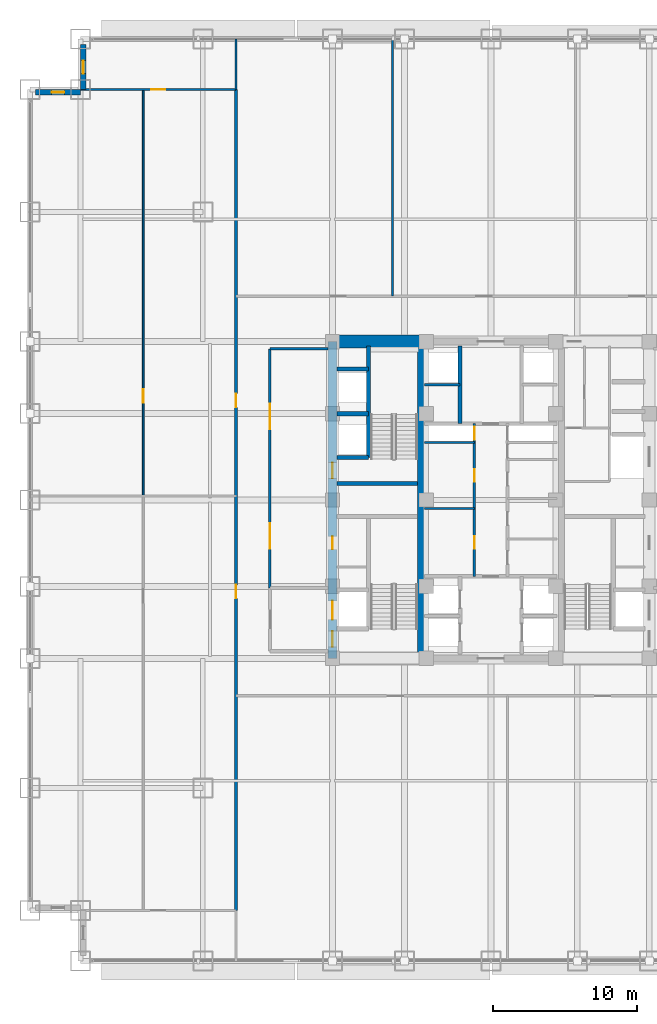
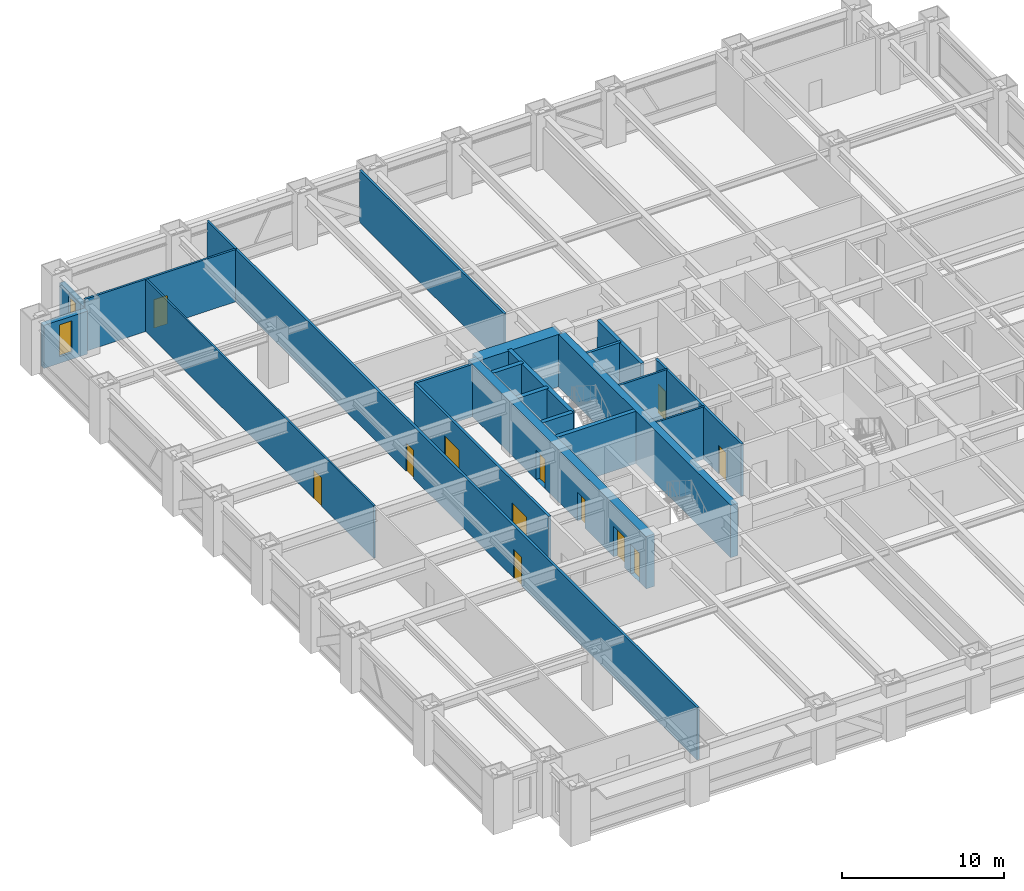
# One storey, part 25 of 32: 22 walls, 13 doors, 2 windows, 15 openings.
"""IFC4 building model written with IfcOpenShell, lengths in metres."""

import ifcopenshell
import ifcopenshell.guid

model = None  # the IFC model being written
_history = None  # IfcOwnerHistory: only IFC2X3 demands one
_inside = {}  # id of a spatial element -> (the spatial element, [elements in it])
_under = {}  # id of a project, library or spatial element -> (it, [spatial elements below it])
_declared = {}  # id of a project -> (the project, [libraries it declares])
_typed = {}  # id of a type object -> (the type object, [elements of that type])
_made_of = {}  # id of a material, layer set ... -> (it, [elements and type objects made of it])


def new_model(schema):
    """Start an empty IFC model of exactly this schema.

    Asked for "IFC4X3", IfcOpenShell would pick the latest addendum, in which some entities
    have other attributes; the version numbers below select the first issue.
    IFC2X3 requires an IfcOwnerHistory on every rooted entity: one is made here for all.
    """
    global model, _history
    if schema == "IFC4X3":
        model = ifcopenshell.file(schema_version=(4, 3, 0, 0))
    else:
        model = ifcopenshell.file(schema=schema)
    _inside.clear()
    _under.clear()
    _declared.clear()
    _typed.clear()
    _made_of.clear()
    _history = None
    if model.schema == "IFC2X3":
        org = make("IfcOrganization", Name="unknown")
        user = make(
            "IfcPersonAndOrganization",
            ThePerson=make("IfcPerson", FamilyName="unknown"),
            TheOrganization=org,
        )
        app = make(
            "IfcApplication",
            ApplicationDeveloper=org,
            Version="unknown",
            ApplicationFullName="unknown",
            ApplicationIdentifier="unknown",
        )
        _history = make(
            "IfcOwnerHistory",
            OwningUser=user,
            OwningApplication=app,
            ChangeAction="ADDED",
            CreationDate=0,
        )
    return model


def make(cls, **values):
    """One entity of the class cls with the attributes given. An attribute that is None is left unset."""
    return model.create_entity(
        cls, **{name: value for name, value in values.items() if value is not None}
    )


def rooted(cls, **values):
    """An entity with a GlobalId (a new one), such as an element, a storey or a relation."""
    return make(cls, GlobalId=ifcopenshell.guid.new(), OwnerHistory=_history, **values)


def si_unit(unit_type, name, prefix=None):
    """IfcSIUnit, for example si_unit("LENGTHUNIT", "METRE", prefix="MILLI")."""
    return make("IfcSIUnit", UnitType=unit_type, Prefix=prefix, Name=name)


def assignment(units):
    """IfcUnitAssignment: the units of a project."""
    return None if units is None else make("IfcUnitAssignment", Units=units)


def point(xyz):
    """IfcCartesianPoint."""
    return None if xyz is None else make("IfcCartesianPoint", Coordinates=xyz)


def direction(xyz):
    """IfcDirection."""
    return None if xyz is None else make("IfcDirection", DirectionRatios=xyz)


def frame(location, z_axis=None, x_axis=None):
    """IfcAxis2Placement3D, a coordinate frame: its origin and axes. An axis left out is left unset."""
    return make(
        "IfcAxis2Placement3D",
        Location=point(location),
        Axis=direction(z_axis),
        RefDirection=direction(x_axis),
    )


def frame_2d(location, x_axis=None):
    """IfcAxis2Placement2D, a coordinate frame in the plane: its origin and x axis."""
    return make(
        "IfcAxis2Placement2D", Location=point(location), RefDirection=direction(x_axis)
    )


def origin():
    """The frame at (0, 0, 0) with its axes left unset."""
    return frame((0.0, 0.0, 0.0))


def place(relative_to, where):
    """IfcLocalPlacement: puts the frame where relative to a parent placement (None: the world)."""
    return make(
        "IfcLocalPlacement", PlacementRelTo=relative_to, RelativePlacement=where
    )


def context(
    kind, dimensions, precision=None, world=None, true_north=None, identifier=None
):
    """IfcGeometricRepresentationContext, for example the 3D "Model" context."""
    return make(
        "IfcGeometricRepresentationContext",
        ContextIdentifier=identifier,
        ContextType=kind,
        CoordinateSpaceDimension=dimensions,
        Precision=precision,
        WorldCoordinateSystem=world,
        TrueNorth=true_north,
    )


def subcontext(parent, identifier, kind, view, scale=None):
    """IfcGeometricRepresentationSubContext, for example "Body" below "Model"."""
    return make(
        "IfcGeometricRepresentationSubContext",
        ContextIdentifier=identifier,
        ContextType=kind,
        ParentContext=parent,
        TargetScale=scale,
        TargetView=view,
    )


def project(units=None, contexts=None):
    """IfcProject with its units and contexts."""
    return rooted(
        "IfcProject",
        Name="project",
        RepresentationContexts=contexts,
        UnitsInContext=assignment(units),
    )


def spatial(cls, under=None, at=None, **own):
    """A site, building, storey or space (cls), placed at a placement, below another one or the project."""
    s = rooted(cls, ObjectPlacement=at, **own)
    if under is not None:
        _under.setdefault(under.id(), (under, []))[1].append(s)
    return s


def profile(cls, at=None, kind="AREA", **sizes):
    """A parametric profile (cls). Its sizes go by their IFC names, for example OverallWidth=200.0."""
    return make(cls, ProfileType=kind, Position=at, **sizes)


def rectangle(**sizes):
    """IfcRectangleProfileDef."""
    return profile("IfcRectangleProfileDef", **sizes)


def extrude(swept, where, along, depth):
    """IfcExtrudedAreaSolid: the profile swept, set in the frame where, extruded along a direction by depth."""
    return make(
        "IfcExtrudedAreaSolid",
        SweptArea=swept,
        Position=where,
        ExtrudedDirection=direction(along),
        Depth=depth,
    )


def shape(context_of_items, identifier, shape_type, items):
    """IfcShapeRepresentation: the items that make up one representation, for example the "Body"."""
    return make(
        "IfcShapeRepresentation",
        ContextOfItems=context_of_items,
        RepresentationIdentifier=identifier,
        RepresentationType=shape_type,
        Items=items,
    )


def source(mapping_origin, context_of_items, identifier, shape_type, items):
    """IfcRepresentationMap: a shape defined once, which mapped items show again and again."""
    return make(
        "IfcRepresentationMap",
        MappingOrigin=mapping_origin,
        MappedRepresentation=shape(context_of_items, identifier, shape_type, items),
    )


def transform(
    local_origin,
    x_axis=None,
    y_axis=None,
    z_axis=None,
    scale=None,
    scale2=None,
    scale3=None,
    uniform=True,
):
    """IfcCartesianTransformationOperator3D, or its non-uniform kind. x_axis, y_axis, z_axis: its Axis1, 2, 3."""
    if uniform:
        return make(
            "IfcCartesianTransformationOperator3D",
            Axis1=direction(x_axis),
            Axis2=direction(y_axis),
            LocalOrigin=point(local_origin),
            Scale=scale,
            Axis3=direction(z_axis),
        )
    return make(
        "IfcCartesianTransformationOperator3DnonUniform",
        Axis1=direction(x_axis),
        Axis2=direction(y_axis),
        LocalOrigin=point(local_origin),
        Scale=scale,
        Axis3=direction(z_axis),
        Scale2=scale2,
        Scale3=scale3,
    )


def mapped(mapping_source, mapping_target):
    """IfcMappedItem: shows the shape of a source again, moved by a transform."""
    return make(
        "IfcMappedItem", MappingSource=mapping_source, MappingTarget=mapping_target
    )


def material(Name=None, Category=None):
    """IfcMaterial."""
    return make("IfcMaterial", Name=Name, Category=Category)


def layer(
    of_material, thickness, ventilated=None, Name=None, Category=None, Priority=None
):
    """IfcMaterialLayer: one layer of a wall or slab, of a material (None: an air gap)."""
    return make(
        "IfcMaterialLayer",
        Material=of_material,
        LayerThickness=thickness,
        IsVentilated=ventilated,
        Name=Name,
        Category=Category,
        Priority=Priority,
    )


def layer_set(layers, Name=None):
    """IfcMaterialLayerSet."""
    return make("IfcMaterialLayerSet", MaterialLayers=layers, LayerSetName=Name)


def made_of(thing, what):
    """Note that an element or type object is made of a material, layer set ...; save() writes the relation."""
    if what is not None:
        _made_of.setdefault(what.id(), (what, []))[1].append(thing)
    return thing


def type_object(cls, material=None, **own):
    """A type object (cls), such as IfcWallType, which elements share."""
    return made_of(rooted(cls, **own), material)


def element(
    cls,
    number,
    at=None,
    inside=None,
    cuts=None,
    type_object=None,
    material=None,
    context=None,
    identifier="Body",
    shape_type=None,
    held_by="IfcProductDefinitionShape",
    body=None,
    shapes=None,
    **own,
):
    """One element of the class cls, such as IfcWall. Its Tag is "e" and its number.

    at: its placement. inside: the storey or other place that contains it. cuts: it is an
    opening in that element (IfcRelVoidsElement). A single representation is given by context,
    identifier, shape_type and body (its items); several are given by shapes. held_by: the class
    of the entity that holds the representations. save() writes the other relations.
    """
    e = rooted(cls, Tag="e%d" % number, ObjectPlacement=at, **own)
    if body is not None:
        shapes = [shape(context, identifier, shape_type, body)]
    if shapes is not None:
        e.Representation = make(held_by, Representations=shapes)
    if inside is not None:
        _inside.setdefault(inside.id(), (inside, []))[1].append(e)
    if cuts is not None:
        rooted(
            "IfcRelVoidsElement", RelatingBuildingElement=cuts, RelatedOpeningElement=e
        )
    if type_object is not None:
        _typed.setdefault(type_object.id(), (type_object, []))[1].append(e)
    return made_of(e, material)


def fill(opening, filler):
    """IfcRelFillsElement: the door or window that sits in an opening."""
    return rooted(
        "IfcRelFillsElement",
        RelatingOpeningElement=opening,
        RelatedBuildingElement=filler,
    )


def aggregate(whole, parts):
    """IfcRelAggregates: a whole, such as a stair, and the parts it consists of."""
    return rooted("IfcRelAggregates", RelatingObject=whole, RelatedObjects=parts)


def save(model, path):
    """Write the relations noted so far, then the file.

    IfcRelAggregates (storeys below a building ...), IfcRelContainedInSpatialStructure (elements
    in a storey), IfcRelDefinesByType, IfcRelAssociatesMaterial and IfcRelDeclares: one each for
    every whole, place, type object, material and project.
    """
    for whole, parts in _under.values():
        aggregate(whole, parts)
    for where, things in _inside.values():
        rooted(
            "IfcRelContainedInSpatialStructure",
            RelatedElements=things,
            RelatingStructure=where,
        )
    for kind, things in _typed.values():
        rooted("IfcRelDefinesByType", RelatedObjects=things, RelatingType=kind)
    for what, things in _made_of.values():
        rooted("IfcRelAssociatesMaterial", RelatedObjects=things, RelatingMaterial=what)
    for by, libraries in _declared.values():
        rooted("IfcRelDeclares", RelatingContext=by, RelatedDefinitions=libraries)
    model.write(path)


model = new_model("IFC4")

# Units and contexts
model_context = context("Model", 3, precision=1e-05, world=origin(), true_north=direction((0.0, 1.0)))
body_context = subcontext(model_context, "Body", "Model", "MODEL_VIEW")
ifc_project = project(units=[si_unit("LENGTHUNIT", "METRE"), si_unit("AREAUNIT", "SQUARE_METRE"), si_unit("VOLUMEUNIT", "CUBIC_METRE"), si_unit("PLANEANGLEUNIT", "RADIAN"), si_unit("MASSUNIT", "GRAM", prefix="KILO")], contexts=[model_context])

# Site, building, storey
site_placement = place(None, origin())
site = spatial("IfcSite", under=ifc_project, at=site_placement, CompositionType="ELEMENT")
building_placement = place(site_placement, origin())
building = spatial("IfcBuilding", under=site, at=building_placement, Name="Khorayat Bourse Tower", CompositionType="ELEMENT")
storey_placement = place(building_placement, frame((0.0, 0.0, 70.39990234375)))
storey = spatial("IfcBuildingStorey", under=building, at=storey_placement, Name="L15", CompositionType="ELEMENT", Elevation=70.39990234375)

# Wall, openings, doors
ifc_material_1 = material(Name="Concrete C60/75", Category="concrete")
ifc_layer_1 = layer(ifc_material_1, 0.60009765625)
ifc_layer_set_1 = layer_set([ifc_layer_1], Name="Concrete C60/75")
wall_type_1 = type_object("IfcWallType", Name="WAL-CORE-600", PredefinedType="SHEAR", material=ifc_layer_set_1)
shared_shape_1 = source(origin(), body_context, "Body", "SweptSolid", [
    extrude(rectangle(XDim=22.0, YDim=0.60009765625, at=frame_2d((11.0, 0.0))), origin(), (0.0, 0.0, 1.0), 3.940185546875),
])
wall_1_placement = place(storey_placement, frame((-11.0, -11.0, 0.0), z_axis=(0.0, 0.0, 1.0), x_axis=(0.0, 1.0, 0.0)))
wall_1 = element("IfcWall", 1, at=wall_1_placement, inside=storey, type_object=wall_type_1, Name="L15 Core Shear Wall CORE-W", PredefinedType="SHEAR", context=body_context, shape_type="MappedRepresentation", body=[
    mapped(shared_shape_1, transform((0.0, 0.0, 0.0), scale=1.0)),
])
shared_shape_2 = source(origin(), body_context, "Body", "SweptSolid", [
    extrude(rectangle(XDim=1.10009765625, YDim=2.199951171875, at=frame_2d((0.550048828125, 1.10009765625))), frame((0.0, 0.31005859375, 0.0), z_axis=(0.0, -1.0, 0.0), x_axis=(1.0, 0.0, 0.0)), (0.0, 0.0, 1.0), 0.6201171875),
])
opening_1_placement = place(wall_1_placement, frame((0.800048828125, 0.0, 0.0)))
opening_1 = element("IfcOpeningElement", 2, at=opening_1_placement, cuts=wall_1, Name="Opening DI-01", PredefinedType="OPENING", context=body_context, shape_type="MappedRepresentation", body=[
    mapped(shared_shape_2, transform((0.0, 0.0, 0.0), scale=1.0)),
])
opening_2_placement = place(wall_1_placement, frame((12.5, 0.0, 0.0)))
opening_2 = element("IfcOpeningElement", 3, at=opening_2_placement, cuts=wall_1, Name="Opening DI-01", PredefinedType="OPENING", context=body_context, shape_type="MappedRepresentation", body=[
    mapped(shared_shape_2, transform((0.0, 0.0, 0.0), scale=1.0)),
])
shared_shape_3 = source(origin(), body_context, "Body", "SweptSolid", [
    extrude(rectangle(XDim=0.89990234375, YDim=2.14990234375, at=frame_2d((0.449951171875, 1.074951171875))), frame((0.0, 0.31005859375, 0.0), z_axis=(0.0, -1.0, 0.0), x_axis=(1.0, 0.0, 0.0)), (0.0, 0.0, 1.0), 0.6201171875),
])
opening_3_placement = place(wall_1_placement, frame((7.574951171875, 0.0, 0.0)))
opening_3 = element("IfcOpeningElement", 4, at=opening_3_placement, cuts=wall_1, Name="Opening DI-06", PredefinedType="OPENING", context=body_context, shape_type="MappedRepresentation", body=[
    mapped(shared_shape_3, transform((0.0, 0.0, 0.0), scale=1.0)),
])
shared_shape_4 = source(origin(), body_context, "Body", "SweptSolid", [
    extrude(rectangle(XDim=1.300048828125, YDim=2.300048828125, at=frame_2d((0.64990234375, 1.14990234375))), frame((0.0, 0.31005859375, 0.0), z_axis=(0.0, -1.0, 0.0), x_axis=(1.0, 0.0, 0.0)), (0.0, 0.0, 1.0), 0.6201171875),
])
opening_4_placement = place(wall_1_placement, frame((2.699951171875, 0.0, 0.0)))
opening_4 = element("IfcOpeningElement", 5, at=opening_4_placement, cuts=wall_1, Name="Opening LD-02", PredefinedType="OPENING", context=body_context, shape_type="MappedRepresentation", body=[
    mapped(shared_shape_4, transform((0.0, 0.0, 0.0), scale=1.0)),
])
ifc_material_2 = material(Name="Fire-rated steel acoustic leaf", Category="steel")
door_type_1 = type_object("IfcDoorType", Name="DR-INT-STAIR-1100", OperationType="NOTDEFINED", PredefinedType="DOOR", material=ifc_material_2)
shared_shape_5 = source(origin(), body_context, "Body", "SweptSolid", [
    extrude(rectangle(XDim=1.10009765625, YDim=2.199951171875, at=frame_2d((0.550048828125, 1.10009765625))), frame((0.0, 0.02490234375, 0.0), z_axis=(0.0, -1.0, 0.0), x_axis=(1.0, 0.0, 0.0)), (0.0, 0.0, 1.0), 0.050048828125),
])
door_1_placement = place(opening_1_placement, origin())
door_1 = element("IfcDoor", 6, at=door_1_placement, inside=storey, type_object=door_type_1, Name="L15 Exit Stair 1 Door", OperationType="SINGLE_SWING_RIGHT", OverallHeight=2.199951171875, OverallWidth=1.10009765625, PredefinedType="DOOR", context=body_context, shape_type="MappedRepresentation", body=[
    mapped(shared_shape_5, transform((0.0, 0.0, 0.0), scale=1.0)),
])
fill(opening_1, door_1)
door_2_placement = place(opening_2_placement, origin())
door_2 = element("IfcDoor", 7, at=door_2_placement, inside=storey, type_object=door_type_1, Name="L15 Exit Stair 2 Door", OperationType="SINGLE_SWING_RIGHT", OverallHeight=2.199951171875, OverallWidth=1.10009765625, PredefinedType="DOOR", context=body_context, shape_type="MappedRepresentation", body=[
    mapped(shared_shape_5, transform((0.0, 0.0, 0.0), scale=1.0)),
])
fill(opening_2, door_2)
ifc_material_3 = material(Name="Moisture-resistant laminate washroom door")
door_type_2 = type_object("IfcDoorType", Name="DR-INT-WC-900", OperationType="NOTDEFINED", PredefinedType="DOOR", material=ifc_material_3)
shared_shape_6 = source(origin(), body_context, "Body", "SweptSolid", [
    extrude(rectangle(XDim=0.89990234375, YDim=2.14990234375, at=frame_2d((0.449951171875, 1.074951171875))), frame((0.0, 0.02490234375, 0.0), z_axis=(0.0, -1.0, 0.0), x_axis=(1.0, 0.0, 0.0)), (0.0, 0.0, 1.0), 0.050048828125),
])
door_3_placement = place(opening_3_placement, origin())
door_3 = element("IfcDoor", 8, at=door_3_placement, inside=storey, type_object=door_type_2, Name="L15 UPS Switch Plant Room Door", OperationType="SINGLE_SWING_RIGHT", OverallHeight=2.14990234375, OverallWidth=0.89990234375, PredefinedType="DOOR", context=body_context, shape_type="MappedRepresentation", body=[
    mapped(shared_shape_6, transform((0.0, 0.0, 0.0), scale=1.0)),
])
fill(opening_3, door_3)
ifc_material_4 = material(Name="Fire-rated stainless-steel sliding landing door", Category="steel")
door_type_3 = type_object("IfcDoorType", Name="DR-LIFT-FF-1300", OperationType="NOTDEFINED", PredefinedType="DOOR", material=ifc_material_4)
shared_shape_7 = source(origin(), body_context, "Body", "SweptSolid", [
    extrude(rectangle(XDim=1.300048828125, YDim=2.300048828125, at=frame_2d((0.64990234375, 1.14990234375))), frame((0.0, 0.02490234375, 0.0), z_axis=(0.0, -1.0, 0.0), x_axis=(1.0, 0.0, 0.0)), (0.0, 0.0, 1.0), 0.050048828125),
])
door_4_placement = place(opening_4_placement, origin())
door_4 = element("IfcDoor", 9, at=door_4_placement, inside=storey, type_object=door_type_3, Name="L15 Lift FFL-01 Sliding Landing Door", OperationType="SLIDING_TO_LEFT", OverallHeight=2.300048828125, OverallWidth=1.300048828125, PredefinedType="DOOR", context=body_context, shape_type="MappedRepresentation", body=[
    mapped(shared_shape_7, transform((0.0, 0.0, 0.0), scale=1.0)),
])
fill(opening_4, door_4)

# Walls
ifc_material_5 = material(Name="Concrete C52/65", Category="concrete")
ifc_layer_2 = layer(ifc_material_5, 0.5)
ifc_layer_set_2 = layer_set([ifc_layer_2], Name="Concrete C52/65")
wall_type_2 = type_object("IfcWallType", Name="WAL-CORE-500", PredefinedType="SHEAR", material=ifc_layer_set_2)
shared_shape_8 = source(origin(), body_context, "Body", "SweptSolid", [
    extrude(rectangle(XDim=21.39990234375, YDim=0.5, at=frame_2d((10.699951171875, 0.0))), origin(), (0.0, 0.0, 1.0), 3.940185546875),
])
wall_2_placement = place(storey_placement, frame((-4.85009765625, -10.699951171875, 0.0), z_axis=(0.0, 0.0, 1.0), x_axis=(0.0, 1.0, 0.0)))
element("IfcWall", 10, at=wall_2_placement, inside=storey, type_object=wall_type_2, Name="L15 Core Shear Wall PIER-W", PredefinedType="SHEAR", context=body_context, shape_type="MappedRepresentation", body=[
    mapped(shared_shape_8, transform((0.0, 0.0, 0.0), scale=1.0)),
])
ifc_material_6 = material(Name="Concrete C72/90", Category="concrete")
ifc_layer_3 = layer(ifc_material_6, 0.89990234375)
ifc_layer_set_3 = layer_set([ifc_layer_3], Name="Concrete C72/90")
wall_type_3 = type_object("IfcWallType", Name="WAL-CORE-900", PredefinedType="SHEAR", material=ifc_layer_set_3)
shared_shape_9 = source(origin(), body_context, "Body", "SweptSolid", [
    extrude(rectangle(XDim=5.849853515625, YDim=0.89990234375, at=frame_2d((2.9248046875, 0.0))), origin(), (0.0, 0.0, 1.0), 3.940185546875),
])
wall_3_placement = place(storey_placement, frame((-10.699951171875, 11.0, 0.0), z_axis=(0.0, 0.0, 1.0), x_axis=(1.0, 0.0, 0.0)))
element("IfcWall", 11, at=wall_3_placement, inside=storey, type_object=wall_type_3, Name="L15 Core Shear Wall PIER-WN", PredefinedType="SHEAR", context=body_context, shape_type="MappedRepresentation", body=[
    mapped(shared_shape_9, transform((0.0, 0.0, 0.0), scale=1.0)),
])
ifc_material_7 = material(Name="Concrete C50/60", Category="concrete")
ifc_layer_4 = layer(ifc_material_7, 0.300048828125)
ifc_layer_set_4 = layer_set([ifc_layer_4], Name="Concrete C50/60")
wall_type_4 = type_object("IfcWallType", Name="WAL-SHAFT-300", PredefinedType="SHEAR", material=ifc_layer_set_4)
shared_shape_10 = source(origin(), body_context, "Body", "SweptSolid", [
    extrude(rectangle(XDim=5.599853515625, YDim=0.300048828125, at=frame_2d((2.7998046875, 0.0))), origin(), (0.0, 0.0, 1.0), 3.940185546875),
])
wall_4_placement = place(storey_placement, frame((-10.699951171875, 1.14990234375, 0.0), z_axis=(0.0, 0.0, 1.0), x_axis=(1.0, 0.0, 0.0)))
element("IfcWall", 12, at=wall_4_placement, inside=storey, type_object=wall_type_4, Name="L15 Core Shear Wall ST2-DIV", PredefinedType="SHEAR", context=body_context, shape_type="MappedRepresentation", body=[
    mapped(shared_shape_10, transform((0.0, 0.0, 0.0), scale=1.0)),
])

# Wall, opening, window
ifc_material_8 = material(Name="Precast concrete C45/55", Category="concrete")
ifc_layer_5 = layer(ifc_material_8, 0.3798828125)
ifc_layer_set_5 = layer_set([ifc_layer_5], Name="Precast concrete C45/55")
wall_type_5 = type_object("IfcWallType", Name="WAL-EXT-STONE-380", PredefinedType="STANDARD", material=ifc_layer_set_5)
shared_shape_11 = source(origin(), body_context, "Body", "SweptSolid", [
    extrude(rectangle(XDim=3.1201171875, YDim=0.3798828125, at=frame_2d((1.56005859375, 0.0))), origin(), (0.0, 0.0, 1.0), 3.2451171875),
])
wall_5_placement = place(storey_placement, frame((-28.31005859375, 28.5, 0.0), z_axis=(0.0, 0.0, 1.0), x_axis=(0.0, 1.0, 0.0)))
wall_5 = element("IfcWall", 13, at=wall_5_placement, inside=storey, type_object=wall_type_5, Name="L15 Re-Entrant Notch Limestone Wall NW-V", PredefinedType="STANDARD", context=body_context, shape_type="MappedRepresentation", body=[
    mapped(shared_shape_11, transform((0.0, 0.0, 0.0), scale=1.0)),
])
shared_shape_12 = source(origin(), body_context, "Body", "SweptSolid", [
    extrude(rectangle(XDim=0.89990234375, YDim=2.39990234375, at=frame_2d((0.449951171875, 1.199951171875))), frame((0.0, 0.199951171875, 0.0), z_axis=(0.0, -1.0, 0.0), x_axis=(1.0, 0.0, 0.0)), (0.0, 0.0, 1.0), 0.39990234375),
])
opening_5_placement = place(wall_5_placement, frame((1.110107421875, 0.0, 0.5)))
opening_5 = element("IfcOpeningElement", 14, at=opening_5_placement, cuts=wall_5, Name="Opening WN-03", PredefinedType="OPENING", context=body_context, shape_type="MappedRepresentation", body=[
    mapped(shared_shape_12, transform((0.0, 0.0, 0.0), scale=1.0)),
])
ifc_material_9 = material(Name="Deep-reveal solar-control double glazing", Category="glass")
window_type = type_object("IfcWindowType", Name="WIN-SLOT-900x2400", PartitioningType="SINGLE_PANEL", PredefinedType="WINDOW", material=ifc_material_9)
shared_shape_13 = source(origin(), body_context, "Body", "SweptSolid", [
    extrude(rectangle(XDim=0.89990234375, YDim=2.39990234375, at=frame_2d((0.449951171875, 1.199951171875))), frame((0.0, 0.030029296875, 0.0), z_axis=(0.0, -1.0, 0.0), x_axis=(1.0, 0.0, 0.0)), (0.0, 0.0, 1.0), 0.06005859375),
])
window_1_placement = place(opening_5_placement, origin())
window_1 = element("IfcWindow", 15, at=window_1_placement, inside=storey, type_object=window_type, Name="L15 Facade Window 1", OverallHeight=2.39990234375, OverallWidth=0.89990234375, PartitioningType="SINGLE_PANEL", PredefinedType="WINDOW", context=body_context, shape_type="MappedRepresentation", body=[
    mapped(shared_shape_13, transform((0.0, 0.0, 0.0), scale=1.0)),
])
fill(opening_5, window_1)

wall_6_placement = place(storey_placement, frame((-28.5, 28.31005859375, 0.0), z_axis=(0.0, 0.0, 1.0), x_axis=(-1.0, 0.0, 0.0)))
wall_6 = element("IfcWall", 16, at=wall_6_placement, inside=storey, type_object=wall_type_5, Name="L15 Re-Entrant Notch Limestone Wall NW-H", PredefinedType="STANDARD", context=body_context, shape_type="MappedRepresentation", body=[
    mapped(shared_shape_11, transform((0.0, 0.0, 0.0), scale=1.0)),
])
opening_6_placement = place(wall_6_placement, frame((1.110107421875, 0.0, 0.5)))
opening_6 = element("IfcOpeningElement", 17, at=opening_6_placement, cuts=wall_6, Name="Opening WN-03", PredefinedType="OPENING", context=body_context, shape_type="MappedRepresentation", body=[
    mapped(shared_shape_12, transform((0.0, 0.0, 0.0), scale=1.0)),
])
window_2_placement = place(opening_6_placement, origin())
window_2 = element("IfcWindow", 18, at=window_2_placement, inside=storey, type_object=window_type, Name="L15 Facade Window 1", OverallHeight=2.39990234375, OverallWidth=0.89990234375, PartitioningType="SINGLE_PANEL", PredefinedType="WINDOW", context=body_context, shape_type="MappedRepresentation", body=[
    mapped(shared_shape_13, transform((0.0, 0.0, 0.0), scale=1.0)),
])
fill(opening_6, window_2)

# Walls
shared_shape_14 = source(origin(), body_context, "Body", "SweptSolid", [
    extrude(rectangle(XDim=2.199951171875, YDim=0.300048828125, at=frame_2d((1.10009765625, 0.0))), origin(), (0.0, 0.0, 1.0), 3.940185546875),
])
for number, where, z_axis, x_axis, name in (
    (19, (-10.699951171875, 2.949951171875, 0.0), (0.0, 0.0, 1.0), (1.0, 0.0, 0.0), "L15 Partition WAL-L15-WPIER-H1S"),
    (20, (-10.699951171875, 6.0, 0.0), (0.0, 0.0, 1.0), (1.0, 0.0, 0.0), "L15 Partition WAL-L15-WPIER-H12"),
    (21, (-10.699951171875, 9.10009765625, 0.0), (0.0, 0.0, 1.0), (1.0, 0.0, 0.0), "L15 Partition WAL-L15-WPIER-H2N"),
):
    element("IfcWall", number, at=place(storey_placement, frame(where, z_axis=z_axis, x_axis=x_axis)), inside=storey, type_object=wall_type_4, Name=name, PredefinedType="SHEAR", context=body_context, shape_type="MappedRepresentation", body=[
        mapped(shared_shape_14, transform((0.0, 0.0, 0.0), scale=1.0)),
    ])
shared_shape_15 = source(origin(), body_context, "Body", "SweptSolid", [
    extrude(rectangle(XDim=7.75, YDim=0.300048828125, at=frame_2d((3.875, 0.0))), origin(), (0.0, 0.0, 1.0), 3.940185546875),
])
wall_7_placement = place(storey_placement, frame((-8.5, 2.949951171875, 0.0), z_axis=(0.0, 0.0, 1.0), x_axis=(0.0, 1.0, 0.0)))
element("IfcWall", 22, at=wall_7_placement, inside=storey, type_object=wall_type_4, Name="L15 Partition WAL-L15-WPIER-ST2S", PredefinedType="SHEAR", context=body_context, shape_type="MappedRepresentation", body=[
    mapped(shared_shape_15, transform((0.0, 0.0, 0.0), scale=1.0)),
])
ifc_material_10 = material(Name="Gypsum plasterboard acoustic stud wall")
ifc_layer_6 = layer(ifc_material_10, 0.179931640625)
ifc_layer_set_6 = layer_set([ifc_layer_6], Name="Gypsum plasterboard acoustic stud wall")
wall_type_6 = type_object("IfcWallType", Name="WAL-PART-CORR-180", PredefinedType="PARTITIONING", material=ifc_layer_set_6)
shared_shape_16 = source(origin(), body_context, "Body", "SweptSolid", [
    extrude(rectangle(XDim=4.050048828125, YDim=0.179931640625, at=frame_2d((2.02490234375, 0.0))), origin(), (0.0, 0.0, 1.0), 3.940185546875),
])
wall_8_placement = place(storey_placement, frame((-15.35009765625, 10.5, 0.0), z_axis=(0.0, 0.0, 1.0), x_axis=(1.0, 0.0, 0.0)))
element("IfcWall", 23, at=wall_8_placement, inside=storey, type_object=wall_type_6, Name="L15 Partition WAL-L15-WLOB-N", PredefinedType="PARTITIONING", context=body_context, shape_type="MappedRepresentation", body=[
    mapped(shared_shape_16, transform((0.0, 0.0, 0.0), scale=1.0)),
])

# Wall, openings, doors
shared_shape_17 = source(origin(), body_context, "Body", "SweptSolid", [
    extrude(rectangle(XDim=16.60009765625, YDim=0.179931640625, at=frame_2d((8.300048828125, 0.0))), origin(), (0.0, 0.0, 1.0), 3.940185546875),
])
wall_9_placement = place(storey_placement, frame((-15.35009765625, -6.10009765625, 0.0), z_axis=(0.0, 0.0, 1.0), x_axis=(0.0, 1.0, 0.0)))
wall_9 = element("IfcWall", 24, at=wall_9_placement, inside=storey, type_object=wall_type_6, Name="L15 Partition WAL-L15-WLOB-W", PredefinedType="PARTITIONING", context=body_context, shape_type="MappedRepresentation", body=[
    mapped(shared_shape_17, transform((0.0, 0.0, 0.0), scale=1.0)),
])
shared_shape_18 = source(origin(), body_context, "Body", "SweptSolid", [
    extrude(rectangle(XDim=1.800048828125, YDim=2.25, at=frame_2d((0.89990234375, 1.125))), frame((0.0, 0.099853515625, 0.0), z_axis=(0.0, -1.0, 0.0), x_axis=(1.0, 0.0, 0.0)), (0.0, 0.0, 1.0), 0.199951171875),
])
opening_7_placement = place(wall_9_placement, frame((2.699951171875, 0.0, 0.0)))
opening_7 = element("IfcOpeningElement", 25, at=opening_7_placement, cuts=wall_9, Name="Opening DI-03", PredefinedType="OPENING", context=body_context, shape_type="MappedRepresentation", body=[
    mapped(shared_shape_18, transform((0.0, 0.0, 0.0), scale=1.0)),
])
opening_8_placement = place(wall_9_placement, frame((11.0, 0.0, 0.0)))
opening_8 = element("IfcOpeningElement", 26, at=opening_8_placement, cuts=wall_9, Name="Opening DI-03", PredefinedType="OPENING", context=body_context, shape_type="MappedRepresentation", body=[
    mapped(shared_shape_18, transform((0.0, 0.0, 0.0), scale=1.0)),
])
ifc_material_11 = material(Name="Fire-rated hardwood vision-panel double leaf", Category="wood")
door_type_4 = type_object("IfcDoorType", Name="DR-INT-CORR-1800", OperationType="NOTDEFINED", PredefinedType="DOOR", material=ifc_material_11)
shared_shape_19 = source(origin(), body_context, "Body", "SweptSolid", [
    extrude(rectangle(XDim=1.800048828125, YDim=2.25, at=frame_2d((0.89990234375, 1.125))), frame((0.0, 0.02490234375, 0.0), z_axis=(0.0, -1.0, 0.0), x_axis=(1.0, 0.0, 0.0)), (0.0, 0.0, 1.0), 0.050048828125),
])
door_5_placement = place(opening_7_placement, origin())
door_5 = element("IfcDoor", 27, at=door_5_placement, inside=storey, type_object=door_type_4, Name="L15 West Core Lobby South Door", OperationType="SINGLE_SWING_LEFT", OverallHeight=2.25, OverallWidth=1.800048828125, PredefinedType="DOOR", context=body_context, shape_type="MappedRepresentation", body=[
    mapped(shared_shape_19, transform((0.0, 0.0, 0.0), scale=1.0)),
])
fill(opening_7, door_5)
door_6_placement = place(opening_8_placement, origin())
door_6 = element("IfcDoor", 28, at=door_6_placement, inside=storey, type_object=door_type_4, Name="L15 West Core Lobby North Door", OperationType="SINGLE_SWING_RIGHT", OverallHeight=2.25, OverallWidth=1.800048828125, PredefinedType="DOOR", context=body_context, shape_type="MappedRepresentation", body=[
    mapped(shared_shape_19, transform((0.0, 0.0, 0.0), scale=1.0)),
])
fill(opening_8, door_6)

# Walls
ifc_material_12 = material(Name="Gypsum plasterboard twin-frame partition")
ifc_layer_7 = layer(ifc_material_12, 0.14990234375)
ifc_layer_set_7 = layer_set([ifc_layer_7], Name="Gypsum plasterboard twin-frame partition")
wall_type_7 = type_object("IfcWallType", Name="WAL-PART-SUITE-150", PredefinedType="PARTITIONING", material=ifc_layer_set_7)
shared_shape_20 = source(origin(), body_context, "Body", "SweptSolid", [
    extrude(rectangle(XDim=3.4501953125, YDim=0.14990234375, at=frame_2d((1.72509765625, 0.0))), origin(), (0.0, 0.0, 1.0), 3.940185546875),
])
wall_10_placement = place(storey_placement, frame((-4.60009765625, 4.0, 0.0), z_axis=(0.0, 0.0, 1.0), x_axis=(1.0, 0.0, 0.0)))
element("IfcWall", 29, at=wall_10_placement, inside=storey, type_object=wall_type_7, Name="L15 Partition WAL-L15-CRSW-S", PredefinedType="PARTITIONING", context=body_context, shape_type="MappedRepresentation", body=[
    mapped(shared_shape_20, transform((0.0, 0.0, 0.0), scale=1.0)),
])
shared_shape_21 = source(origin(), body_context, "Body", "SweptSolid", [
    extrude(rectangle(XDim=5.39990234375, YDim=0.25, at=frame_2d((2.699951171875, 0.0))), origin(), (0.0, 0.0, 1.0), 3.940185546875),
])
wall_11_placement = place(storey_placement, frame((-2.14990234375, 5.300048828125, 0.0), z_axis=(0.0, 0.0, 1.0), x_axis=(0.0, 1.0, 0.0)))
element("IfcWall", 30, at=wall_11_placement, inside=storey, type_object=wall_type_4, Name="L15 Partition WAL-L15-B2-W", PredefinedType="SHEAR", context=body_context, shape_type="MappedRepresentation", body=[
    mapped(shared_shape_21, transform((0.0, 0.0, 0.0), scale=1.0)),
])
shared_shape_22 = source(origin(), body_context, "Body", "SweptSolid", [
    extrude(rectangle(XDim=2.4501953125, YDim=0.199951171875, at=frame_2d((1.22509765625, 0.0))), origin(), (0.0, 0.0, 1.0), 3.940185546875),
])
wall_12_placement = place(storey_placement, frame((-4.60009765625, 8.0, 0.0), z_axis=(0.0, 0.0, 1.0), x_axis=(1.0, 0.0, 0.0)))
element("IfcWall", 31, at=wall_12_placement, inside=storey, type_object=wall_type_4, Name="L15 Partition WAL-L15-B2-MW", PredefinedType="SHEAR", context=body_context, shape_type="MappedRepresentation", body=[
    mapped(shared_shape_22, transform((0.0, 0.0, 0.0), scale=1.0)),
])

# Wall, openings, doors
shared_shape_23 = source(origin(), body_context, "Body", "SweptSolid", [
    extrude(rectangle(XDim=10.60009765625, YDim=0.179931640625, at=frame_2d((5.300048828125, 0.0))), origin(), (0.0, 0.0, 1.0), 3.940185546875),
])
wall_13_placement = place(storey_placement, frame((-1.14990234375, -5.300048828125, 0.0), z_axis=(0.0, 0.0, 1.0), x_axis=(0.0, 1.0, 0.0)))
wall_13 = element("IfcWall", 32, at=wall_13_placement, inside=storey, type_object=wall_type_6, Name="L15 Partition WAL-L15-CMW-L", PredefinedType="PARTITIONING", context=body_context, shape_type="MappedRepresentation", body=[
    mapped(shared_shape_23, transform((0.0, 0.0, 0.0), scale=1.0)),
])
shared_shape_24 = source(origin(), body_context, "Body", "SweptSolid", [
    extrude(rectangle(XDim=0.89990234375, YDim=2.14990234375, at=frame_2d((0.449951171875, 1.074951171875))), frame((0.0, 0.099853515625, 0.0), z_axis=(0.0, -1.0, 0.0), x_axis=(1.0, 0.0, 0.0)), (0.0, 0.0, 1.0), 0.199951171875),
])
opening_9_placement = place(wall_13_placement, frame((1.89990234375, 0.0, 0.0)))
opening_9 = element("IfcOpeningElement", 33, at=opening_9_placement, cuts=wall_13, Name="Opening DI-06", PredefinedType="OPENING", context=body_context, shape_type="MappedRepresentation", body=[
    mapped(shared_shape_24, transform((0.0, 0.0, 0.0), scale=1.0)),
])
opening_10_placement = place(wall_13_placement, frame((6.550048828125, 0.0, 0.0)))
opening_10 = element("IfcOpeningElement", 34, at=opening_10_placement, cuts=wall_13, Name="Opening DI-06", PredefinedType="OPENING", context=body_context, shape_type="MappedRepresentation", body=[
    mapped(shared_shape_24, transform((0.0, 0.0, 0.0), scale=1.0)),
])
opening_11_placement = place(wall_13_placement, frame((9.47509765625, 0.0, 0.0)))
opening_11 = element("IfcOpeningElement", 35, at=opening_11_placement, cuts=wall_13, Name="Opening DI-06", PredefinedType="OPENING", context=body_context, shape_type="MappedRepresentation", body=[
    mapped(shared_shape_24, transform((0.0, 0.0, 0.0), scale=1.0)),
])
door_7_placement = place(opening_9_placement, origin())
door_7 = element("IfcDoor", 36, at=door_7_placement, inside=storey, type_object=door_type_2, Name="L15 Male Core Washroom Door", OperationType="SINGLE_SWING_RIGHT", OverallHeight=2.14990234375, OverallWidth=0.89990234375, PredefinedType="DOOR", context=body_context, shape_type="MappedRepresentation", body=[
    mapped(shared_shape_6, transform((0.0, 0.0, 0.0), scale=1.0)),
])
fill(opening_9, door_7)
door_8_placement = place(opening_10_placement, origin())
door_8 = element("IfcDoor", 37, at=door_8_placement, inside=storey, type_object=door_type_2, Name="L15 Chilled Water Riser Plant Room Door", OperationType="SINGLE_SWING_LEFT", OverallHeight=2.14990234375, OverallWidth=0.89990234375, PredefinedType="DOOR", context=body_context, shape_type="MappedRepresentation", body=[
    mapped(shared_shape_6, transform((0.0, 0.0, 0.0), scale=1.0)),
])
fill(opening_10, door_8)
door_9_placement = place(opening_11_placement, origin())
door_9 = element("IfcDoor", 38, at=door_9_placement, inside=storey, type_object=door_type_2, Name="L15 West Core Riser Door", OperationType="SINGLE_SWING_LEFT", OverallHeight=2.14990234375, OverallWidth=0.89990234375, PredefinedType="DOOR", context=body_context, shape_type="MappedRepresentation", body=[
    mapped(shared_shape_6, transform((0.0, 0.0, 0.0), scale=1.0)),
])
fill(opening_11, door_9)

# Walls
ifc_material_13 = material(Name="Moisture-resistant masonry partition", Category="masonry")
ifc_layer_8 = layer(ifc_material_13, 0.139892578125)
ifc_layer_set_8 = layer_set([ifc_layer_8], Name="Moisture-resistant masonry partition")
wall_type_8 = type_object("IfcWallType", Name="WAL-PART-WET-140", PredefinedType="PARTITIONING", material=ifc_layer_set_8)
shared_shape_25 = source(origin(), body_context, "Body", "SweptSolid", [
    extrude(rectangle(XDim=3.4501953125, YDim=0.139892578125, at=frame_2d((1.72509765625, 0.0))), origin(), (0.0, 0.0, 1.0), 3.940185546875),
])
wall_14_placement = place(storey_placement, frame((-4.60009765625, -0.60009765625, 0.0), z_axis=(0.0, 0.0, 1.0), x_axis=(1.0, 0.0, 0.0)))
element("IfcWall", 39, at=wall_14_placement, inside=storey, type_object=wall_type_8, Name="L15 Partition WAL-L15-CMW-D1", PredefinedType="PARTITIONING", context=body_context, shape_type="MappedRepresentation", body=[
    mapped(shared_shape_25, transform((0.0, 0.0, 0.0), scale=1.0)),
])
shared_shape_26 = source(origin(), body_context, "Body", "SweptSolid", [
    extrude(rectangle(XDim=17.85009765625, YDim=0.14990234375, at=frame_2d((8.925048828125, 0.0))), origin(), (0.0, 0.0, 1.0), 3.940185546875),
])
wall_15_placement = place(storey_placement, frame((-6.824951171875, 14.14990234375, 0.0), z_axis=(0.0, 0.0, 1.0), x_axis=(0.0, 1.0, 0.0)))
element("IfcWall", 40, at=wall_15_placement, inside=storey, type_object=wall_type_7, Name="L15 Partition WAL-L15-NDV-1", PredefinedType="PARTITIONING", context=body_context, shape_type="MappedRepresentation", body=[
    mapped(shared_shape_26, transform((0.0, 0.0, 0.0), scale=1.0)),
])
shared_shape_27 = source(origin(), body_context, "Body", "SweptSolid", [
    extrude(rectangle(XDim=3.5, YDim=0.14990234375, at=frame_2d((1.75, 0.0))), origin(), (0.0, 0.0, 1.0), 3.940185546875),
])
wall_16_placement = place(storey_placement, frame((-17.699951171875, 28.5, 0.0), z_axis=(0.0, 0.0, 1.0), x_axis=(0.0, 1.0, 0.0)))
element("IfcWall", 41, at=wall_16_placement, inside=storey, type_object=wall_type_7, Name="L15 Partition WAL-L15-NCW-END", PredefinedType="PARTITIONING", context=body_context, shape_type="MappedRepresentation", body=[
    mapped(shared_shape_27, transform((0.0, 0.0, 0.0), scale=1.0)),
])

# Wall, openings, doors
shared_shape_28 = source(origin(), body_context, "Body", "SweptSolid", [
    extrude(rectangle(XDim=57.0, YDim=0.179931640625, at=frame_2d((28.5, 0.0))), origin(), (0.0, 0.0, 1.0), 3.940185546875),
])
wall_17_placement = place(storey_placement, frame((-17.699951171875, -28.5, 0.0), z_axis=(0.0, 0.0, 1.0), x_axis=(0.0, 1.0, 0.0)))
wall_17 = element("IfcWall", 42, at=wall_17_placement, inside=storey, type_object=wall_type_6, Name="L15 Partition WAL-L15-WCORR", PredefinedType="PARTITIONING", context=body_context, shape_type="MappedRepresentation", body=[
    mapped(shared_shape_28, transform((0.0, 0.0, 0.0), scale=1.0)),
])
shared_shape_29 = source(origin(), body_context, "Body", "SweptSolid", [
    extrude(rectangle(XDim=0.949951171875, YDim=2.14990234375, at=frame_2d((0.47509765625, 1.074951171875))), frame((0.0, 0.099853515625, 0.0), z_axis=(0.0, -1.0, 0.0), x_axis=(1.0, 0.0, 0.0)), (0.0, 0.0, 1.0), 0.199951171875),
])
opening_12_placement = place(wall_17_placement, frame((21.66259765625, 0.0, 0.0)))
opening_12 = element("IfcOpeningElement", 43, at=opening_12_placement, cuts=wall_17, Name="Opening DI-05", PredefinedType="OPENING", context=body_context, shape_type="MappedRepresentation", body=[
    mapped(shared_shape_29, transform((0.0, 0.0, 0.0), scale=1.0)),
])
opening_13_placement = place(wall_17_placement, frame((34.9375, 0.0, 0.0)))
opening_13 = element("IfcOpeningElement", 44, at=opening_13_placement, cuts=wall_17, Name="Opening DI-05", PredefinedType="OPENING", context=body_context, shape_type="MappedRepresentation", body=[
    mapped(shared_shape_29, transform((0.0, 0.0, 0.0), scale=1.0)),
])
ifc_material_14 = material(Name="Acoustic oak veneer office door")
door_type_5 = type_object("IfcDoorType", Name="DR-INT-OFFICE-950", OperationType="NOTDEFINED", PredefinedType="DOOR", material=ifc_material_14)
shared_shape_30 = source(origin(), body_context, "Body", "SweptSolid", [
    extrude(rectangle(XDim=0.949951171875, YDim=2.14990234375, at=frame_2d((0.47509765625, 1.074951171875))), frame((0.0, 0.02490234375, 0.0), z_axis=(0.0, -1.0, 0.0), x_axis=(1.0, 0.0, 0.0)), (0.0, 0.0, 1.0), 0.050048828125),
])
door_10_placement = place(opening_12_placement, origin())
door_10 = element("IfcDoor", 45, at=door_10_placement, inside=storey, type_object=door_type_5, Name="L15 Clearing Operations Office W1 Door", OperationType="SINGLE_SWING_RIGHT", OverallHeight=2.14990234375, OverallWidth=0.949951171875, PredefinedType="DOOR", context=body_context, shape_type="MappedRepresentation", body=[
    mapped(shared_shape_30, transform((0.0, 0.0, 0.0), scale=1.0)),
])
fill(opening_12, door_10)
door_11_placement = place(opening_13_placement, origin())
door_11 = element("IfcDoor", 46, at=door_11_placement, inside=storey, type_object=door_type_5, Name="L15 Staff Tea Pantry W2 Door", OperationType="SINGLE_SWING_LEFT", OverallHeight=2.14990234375, OverallWidth=0.949951171875, PredefinedType="DOOR", context=body_context, shape_type="MappedRepresentation", body=[
    mapped(shared_shape_30, transform((0.0, 0.0, 0.0), scale=1.0)),
])
fill(opening_13, door_11)

# Wall, opening, door
ifc_material_15 = material(Name="Gypsum plasterboard partition")
ifc_layer_9 = layer(ifc_material_15, 0.125)
ifc_layer_set_9 = layer_set([ifc_layer_9], Name="Gypsum plasterboard partition")
wall_type_9 = type_object("IfcWallType", Name="WAL-PART-ROOM-125", PredefinedType="PARTITIONING", material=ifc_layer_set_9)
shared_shape_31 = source(origin(), body_context, "Body", "SweptSolid", [
    extrude(rectangle(XDim=28.22509765625, YDim=0.125, at=frame_2d((14.112548828125, 0.0))), origin(), (0.0, 0.0, 1.0), 3.940185546875),
])
wall_18_placement = place(storey_placement, frame((-24.135009765625, 0.27490234375, 0.0), z_axis=(0.0, 0.0, 1.0), x_axis=(0.0, 1.0, 0.0)))
wall_18 = element("IfcWall", 47, at=wall_18_placement, inside=storey, type_object=wall_type_9, Name="L15 Partition WAL-L15-WDP-2", PredefinedType="PARTITIONING", context=body_context, shape_type="MappedRepresentation", body=[
    mapped(shared_shape_31, transform((0.0, 0.0, 0.0), scale=1.0)),
])
shared_shape_32 = source(origin(), body_context, "Body", "SweptSolid", [
    extrude(rectangle(XDim=0.949951171875, YDim=2.14990234375, at=frame_2d((0.47509765625, 1.074951171875))), frame((0.0, 0.072509765625, 0.0), z_axis=(0.0, -1.0, 0.0), x_axis=(1.0, 0.0, 0.0)), (0.0, 0.0, 1.0), 0.14501953125),
])
opening_14_placement = place(wall_18_placement, frame((6.46240234375, 0.0, 0.0)))
opening_14 = element("IfcOpeningElement", 48, at=opening_14_placement, cuts=wall_18, Name="Opening DI-05", PredefinedType="OPENING", context=body_context, shape_type="MappedRepresentation", body=[
    mapped(shared_shape_32, transform((0.0, 0.0, 0.0), scale=1.0)),
])
door_12_placement = place(opening_14_placement, origin())
door_12 = element("IfcDoor", 49, at=door_12_placement, inside=storey, type_object=door_type_5, Name="L15 Clearing Records Archive Store W2B Door", OperationType="SINGLE_SWING_LEFT", OverallHeight=2.14990234375, OverallWidth=0.949951171875, PredefinedType="DOOR", context=body_context, shape_type="MappedRepresentation", body=[
    mapped(shared_shape_30, transform((0.0, 0.0, 0.0), scale=1.0)),
])
fill(opening_14, door_12)

shared_shape_33 = source(origin(), body_context, "Body", "SweptSolid", [
    extrude(rectangle(XDim=10.800048828125, YDim=0.14990234375, at=frame_2d((5.39990234375, 0.0))), origin(), (0.0, 0.0, 1.0), 3.940185546875),
])
wall_19_placement = place(storey_placement, frame((-28.5, 28.5, 0.0), z_axis=(0.0, 0.0, 1.0), x_axis=(1.0, 0.0, 0.0)))
wall_19 = element("IfcWall", 50, at=wall_19_placement, inside=storey, type_object=wall_type_7, Name="L15 Partition WAL-L15-CNW", PredefinedType="PARTITIONING", context=body_context, shape_type="MappedRepresentation", body=[
    mapped(shared_shape_33, transform((0.0, 0.0, 0.0), scale=1.0)),
])
shared_shape_34 = source(origin(), body_context, "Body", "SweptSolid", [
    extrude(rectangle(XDim=0.949951171875, YDim=2.14990234375, at=frame_2d((0.47509765625, 1.074951171875))), frame((0.0, 0.0849609375, 0.0), z_axis=(0.0, -1.0, 0.0), x_axis=(1.0, 0.0, 0.0)), (0.0, 0.0, 1.0), 0.169921875),
])
opening_15_placement = place(wall_19_placement, frame((4.925048828125, 0.0, 0.0)))
opening_15 = element("IfcOpeningElement", 51, at=opening_15_placement, cuts=wall_19, Name="Opening DI-05", PredefinedType="OPENING", context=body_context, shape_type="MappedRepresentation", body=[
    mapped(shared_shape_34, transform((0.0, 0.0, 0.0), scale=1.0)),
])
door_13_placement = place(opening_15_placement, origin())
door_13 = element("IfcDoor", 52, at=door_13_placement, inside=storey, type_object=door_type_5, Name="L15 North-West Corner Meeting Room Door", OperationType="SINGLE_SWING_LEFT", OverallHeight=2.14990234375, OverallWidth=0.949951171875, PredefinedType="DOOR", context=body_context, shape_type="MappedRepresentation", body=[
    mapped(shared_shape_30, transform((0.0, 0.0, 0.0), scale=1.0)),
])
fill(opening_15, door_13)

save(model, "model.ifc")
